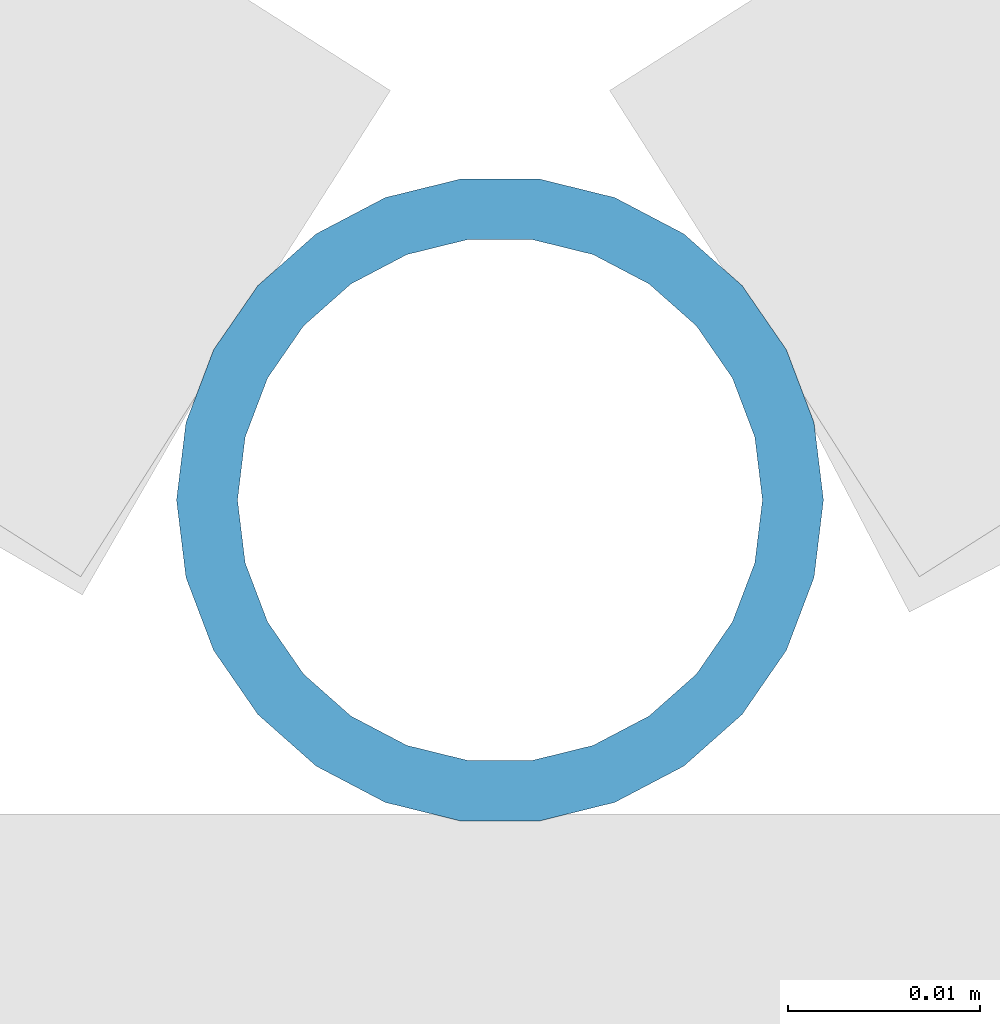
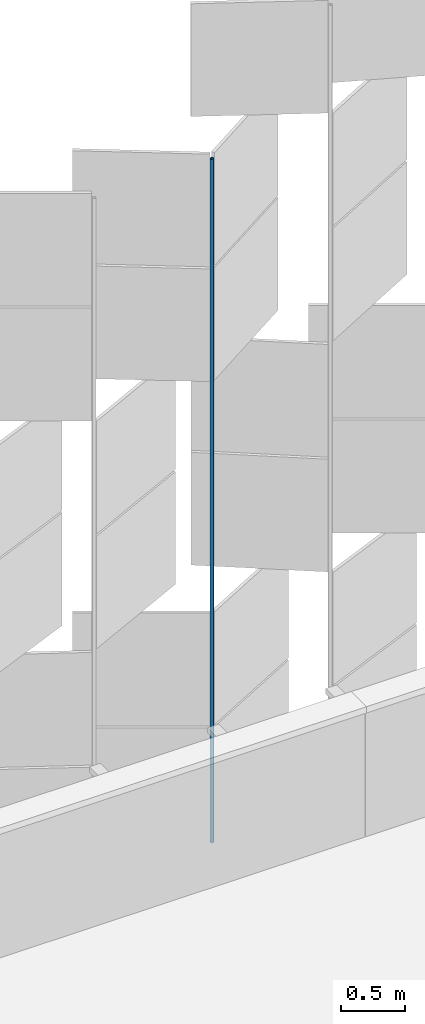
# One storey, part 356 of 483: 1 discrete accessory.
"""IFC4 building model written with IfcOpenShell, lengths in metres."""

from ifc_helpers import new_model, si_unit, direction, frame, origin, origin_2d, place, context, subcontext, project, spatial, hollow_circle, extrude, material, material_profile, profile_set, type_object, element, save


model = new_model("IFC4")

# Units and contexts
model_context = context("Model", 3, precision=1e-05, world=origin(), true_north=direction((0.0, 1.0)))
body_context = subcontext(model_context, "Body", "Model", "MODEL_VIEW")
ifc_project = project(units=[si_unit("LENGTHUNIT", "METRE"), si_unit("AREAUNIT", "SQUARE_METRE"), si_unit("VOLUMEUNIT", "CUBIC_METRE"), si_unit("PLANEANGLEUNIT", "RADIAN"), si_unit("MASSUNIT", "GRAM", prefix="KILO")], contexts=[model_context])

# Site, building, storey
site_placement = place(None, origin())
site = spatial("IfcSite", under=ifc_project, at=site_placement, CompositionType="ELEMENT")
building_placement = place(site_placement, origin())
building = spatial("IfcBuilding", under=site, at=building_placement, Name="Parallax Yard Mobility Hub", CompositionType="ELEMENT")
storey_placement = place(building_placement, frame((0.0, 0.0, 13.199951171875)))
storey = spatial("IfcBuildingStorey", under=building, at=storey_placement, Name="L04", CompositionType="ELEMENT", Elevation=13.199951171875)

# Discrete accessory
ifc_material = material(Name="Steel ASTM A500 Gr C, hot-dip galvanised", Category="steel")
ifc_material_profile = material_profile(ifc_material, hollow_circle(Radius=0.016845703125, WallThickness=0.003173828125, at=origin_2d()), Name="CHS 33.7x3.2")
ifc_profile_set = profile_set([ifc_material_profile], Name="Steel ASTM A500 Gr C, hot-dip galvanised")
discrete_accessory_type = type_object("IfcDiscreteAccessoryType", Name="Hinge post CHS 33.7x3.2", PredefinedType="BRACKET", material=ifc_profile_set)
discrete_accessory_placement = place(storey_placement, frame((126.425048828125, 142.800048828125, 0.0), z_axis=(0.0, 0.0, 1.0), x_axis=(1.0, 0.0, 0.0)))
element("IfcDiscreteAccessory", 1, at=discrete_accessory_placement, inside=storey, type_object=discrete_accessory_type, Name="Hinge post bay 57.2 level L04", PredefinedType="BRACKET", context=body_context, shape_type="SweptSolid", body=[
    extrude(hollow_circle(Radius=0.016845703125, WallThickness=0.003173828125, at=origin_2d()), origin(), (0.0, 0.0, 1.0), 6.550048828125),
])

save(model, "model.ifc")
